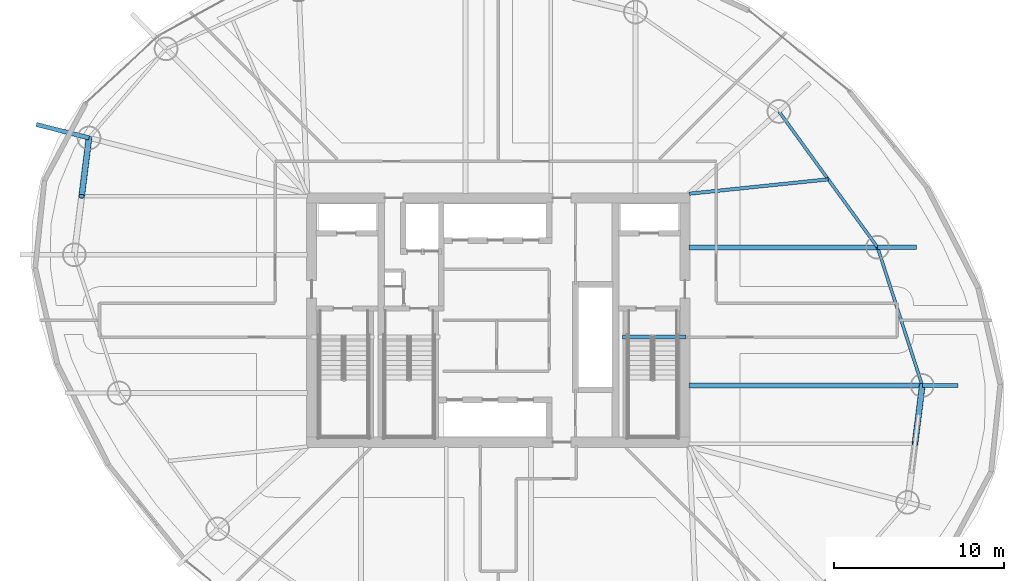
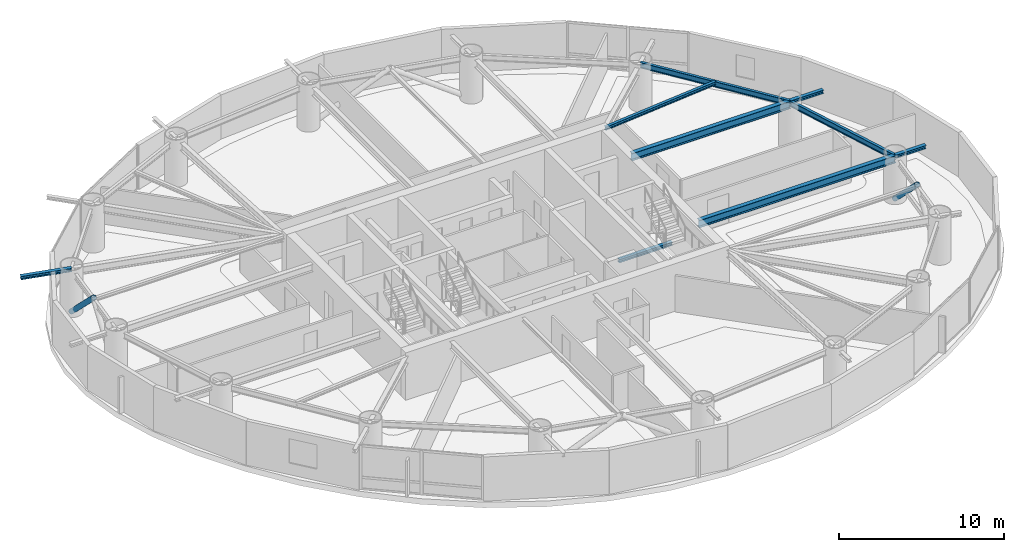
# One storey, part 7 of 21: 9 beams, 2 members.
"""IFC4 building model written with IfcOpenShell, lengths in metres."""

import ifcopenshell
import ifcopenshell.guid

model = None  # the IFC model being written
_history = None  # IfcOwnerHistory: only IFC2X3 demands one
_inside = {}  # id of a spatial element -> (the spatial element, [elements in it])
_under = {}  # id of a project, library or spatial element -> (it, [spatial elements below it])
_declared = {}  # id of a project -> (the project, [libraries it declares])
_typed = {}  # id of a type object -> (the type object, [elements of that type])
_made_of = {}  # id of a material, layer set ... -> (it, [elements and type objects made of it])


def new_model(schema):
    """Start an empty IFC model of exactly this schema.

    Asked for "IFC4X3", IfcOpenShell would pick the latest addendum, in which some entities
    have other attributes; the version numbers below select the first issue.
    IFC2X3 requires an IfcOwnerHistory on every rooted entity: one is made here for all.
    """
    global model, _history
    if schema == "IFC4X3":
        model = ifcopenshell.file(schema_version=(4, 3, 0, 0))
    else:
        model = ifcopenshell.file(schema=schema)
    _inside.clear()
    _under.clear()
    _declared.clear()
    _typed.clear()
    _made_of.clear()
    _history = None
    if model.schema == "IFC2X3":
        org = make("IfcOrganization", Name="unknown")
        user = make(
            "IfcPersonAndOrganization",
            ThePerson=make("IfcPerson", FamilyName="unknown"),
            TheOrganization=org,
        )
        app = make(
            "IfcApplication",
            ApplicationDeveloper=org,
            Version="unknown",
            ApplicationFullName="unknown",
            ApplicationIdentifier="unknown",
        )
        _history = make(
            "IfcOwnerHistory",
            OwningUser=user,
            OwningApplication=app,
            ChangeAction="ADDED",
            CreationDate=0,
        )
    return model


def make(cls, **values):
    """One entity of the class cls with the attributes given. An attribute that is None is left unset."""
    return model.create_entity(
        cls, **{name: value for name, value in values.items() if value is not None}
    )


def rooted(cls, **values):
    """An entity with a GlobalId (a new one), such as an element, a storey or a relation."""
    return make(cls, GlobalId=ifcopenshell.guid.new(), OwnerHistory=_history, **values)


def si_unit(unit_type, name, prefix=None):
    """IfcSIUnit, for example si_unit("LENGTHUNIT", "METRE", prefix="MILLI")."""
    return make("IfcSIUnit", UnitType=unit_type, Prefix=prefix, Name=name)


def assignment(units):
    """IfcUnitAssignment: the units of a project."""
    return None if units is None else make("IfcUnitAssignment", Units=units)


def point(xyz):
    """IfcCartesianPoint."""
    return None if xyz is None else make("IfcCartesianPoint", Coordinates=xyz)


def direction(xyz):
    """IfcDirection."""
    return None if xyz is None else make("IfcDirection", DirectionRatios=xyz)


def frame(location, z_axis=None, x_axis=None):
    """IfcAxis2Placement3D, a coordinate frame: its origin and axes. An axis left out is left unset."""
    return make(
        "IfcAxis2Placement3D",
        Location=point(location),
        Axis=direction(z_axis),
        RefDirection=direction(x_axis),
    )


def frame_2d(location, x_axis=None):
    """IfcAxis2Placement2D, a coordinate frame in the plane: its origin and x axis."""
    return make(
        "IfcAxis2Placement2D", Location=point(location), RefDirection=direction(x_axis)
    )


def origin():
    """The frame at (0, 0, 0) with its axes left unset."""
    return frame((0.0, 0.0, 0.0))


def origin_2d():
    """The frame at (0, 0) in the plane with its x axis left unset."""
    return frame_2d((0.0, 0.0))


def place(relative_to, where):
    """IfcLocalPlacement: puts the frame where relative to a parent placement (None: the world)."""
    return make(
        "IfcLocalPlacement", PlacementRelTo=relative_to, RelativePlacement=where
    )


def context(
    kind, dimensions, precision=None, world=None, true_north=None, identifier=None
):
    """IfcGeometricRepresentationContext, for example the 3D "Model" context."""
    return make(
        "IfcGeometricRepresentationContext",
        ContextIdentifier=identifier,
        ContextType=kind,
        CoordinateSpaceDimension=dimensions,
        Precision=precision,
        WorldCoordinateSystem=world,
        TrueNorth=true_north,
    )


def subcontext(parent, identifier, kind, view, scale=None):
    """IfcGeometricRepresentationSubContext, for example "Body" below "Model"."""
    return make(
        "IfcGeometricRepresentationSubContext",
        ContextIdentifier=identifier,
        ContextType=kind,
        ParentContext=parent,
        TargetScale=scale,
        TargetView=view,
    )


def project(units=None, contexts=None):
    """IfcProject with its units and contexts."""
    return rooted(
        "IfcProject",
        Name="project",
        RepresentationContexts=contexts,
        UnitsInContext=assignment(units),
    )


def spatial(cls, under=None, at=None, **own):
    """A site, building, storey or space (cls), placed at a placement, below another one or the project."""
    s = rooted(cls, ObjectPlacement=at, **own)
    if under is not None:
        _under.setdefault(under.id(), (under, []))[1].append(s)
    return s


def profile(cls, at=None, kind="AREA", **sizes):
    """A parametric profile (cls). Its sizes go by their IFC names, for example OverallWidth=200.0."""
    return make(cls, ProfileType=kind, Position=at, **sizes)


def hollow_circle(**sizes):
    """IfcCircleHollowProfileDef."""
    return profile("IfcCircleHollowProfileDef", **sizes)


def i_section(**sizes):
    """IfcIShapeProfileDef."""
    return profile("IfcIShapeProfileDef", **sizes)


def extrude(swept, where, along, depth):
    """IfcExtrudedAreaSolid: the profile swept, set in the frame where, extruded along a direction by depth."""
    return make(
        "IfcExtrudedAreaSolid",
        SweptArea=swept,
        Position=where,
        ExtrudedDirection=direction(along),
        Depth=depth,
    )


def shape(context_of_items, identifier, shape_type, items):
    """IfcShapeRepresentation: the items that make up one representation, for example the "Body"."""
    return make(
        "IfcShapeRepresentation",
        ContextOfItems=context_of_items,
        RepresentationIdentifier=identifier,
        RepresentationType=shape_type,
        Items=items,
    )


def material(Name=None, Category=None):
    """IfcMaterial."""
    return make("IfcMaterial", Name=Name, Category=Category)


def material_profile(
    of_material, cross_section, Name=None, Category=None, Priority=None
):
    """IfcMaterialProfile: a cross section and its material."""
    return make(
        "IfcMaterialProfile",
        Name=Name,
        Material=of_material,
        Profile=cross_section,
        Priority=Priority,
        Category=Category,
    )


def profile_set(profiles, Name=None, composite=None):
    """IfcMaterialProfileSet."""
    return make(
        "IfcMaterialProfileSet",
        Name=Name,
        MaterialProfiles=profiles,
        CompositeProfile=composite,
    )


def made_of(thing, what):
    """Note that an element or type object is made of a material, layer set ...; save() writes the relation."""
    if what is not None:
        _made_of.setdefault(what.id(), (what, []))[1].append(thing)
    return thing


def type_object(cls, material=None, **own):
    """A type object (cls), such as IfcWallType, which elements share."""
    return made_of(rooted(cls, **own), material)


def element(
    cls,
    number,
    at=None,
    inside=None,
    cuts=None,
    type_object=None,
    material=None,
    context=None,
    identifier="Body",
    shape_type=None,
    held_by="IfcProductDefinitionShape",
    body=None,
    shapes=None,
    **own,
):
    """One element of the class cls, such as IfcWall. Its Tag is "e" and its number.

    at: its placement. inside: the storey or other place that contains it. cuts: it is an
    opening in that element (IfcRelVoidsElement). A single representation is given by context,
    identifier, shape_type and body (its items); several are given by shapes. held_by: the class
    of the entity that holds the representations. save() writes the other relations.
    """
    e = rooted(cls, Tag="e%d" % number, ObjectPlacement=at, **own)
    if body is not None:
        shapes = [shape(context, identifier, shape_type, body)]
    if shapes is not None:
        e.Representation = make(held_by, Representations=shapes)
    if inside is not None:
        _inside.setdefault(inside.id(), (inside, []))[1].append(e)
    if cuts is not None:
        rooted(
            "IfcRelVoidsElement", RelatingBuildingElement=cuts, RelatedOpeningElement=e
        )
    if type_object is not None:
        _typed.setdefault(type_object.id(), (type_object, []))[1].append(e)
    return made_of(e, material)


def aggregate(whole, parts):
    """IfcRelAggregates: a whole, such as a stair, and the parts it consists of."""
    return rooted("IfcRelAggregates", RelatingObject=whole, RelatedObjects=parts)


def save(model, path):
    """Write the relations noted so far, then the file.

    IfcRelAggregates (storeys below a building ...), IfcRelContainedInSpatialStructure (elements
    in a storey), IfcRelDefinesByType, IfcRelAssociatesMaterial and IfcRelDeclares: one each for
    every whole, place, type object, material and project.
    """
    for whole, parts in _under.values():
        aggregate(whole, parts)
    for where, things in _inside.values():
        rooted(
            "IfcRelContainedInSpatialStructure",
            RelatedElements=things,
            RelatingStructure=where,
        )
    for kind, things in _typed.values():
        rooted("IfcRelDefinesByType", RelatedObjects=things, RelatingType=kind)
    for what, things in _made_of.values():
        rooted("IfcRelAssociatesMaterial", RelatedObjects=things, RelatingMaterial=what)
    for by, libraries in _declared.values():
        rooted("IfcRelDeclares", RelatingContext=by, RelatedDefinitions=libraries)
    model.write(path)


model = new_model("IFC4")

# Units and contexts
model_context = context("Model", 3, precision=1e-05, world=origin(), true_north=direction((0.0, 1.0)))
body_context = subcontext(model_context, "Body", "Model", "MODEL_VIEW")
ifc_project = project(units=[si_unit("LENGTHUNIT", "METRE"), si_unit("AREAUNIT", "SQUARE_METRE"), si_unit("VOLUMEUNIT", "CUBIC_METRE"), si_unit("PLANEANGLEUNIT", "RADIAN"), si_unit("MASSUNIT", "GRAM", prefix="KILO")], contexts=[model_context])

# Site, building, storey
site_placement = place(None, origin())
site = spatial("IfcSite", under=ifc_project, at=site_placement, CompositionType="ELEMENT")
building_placement = place(site_placement, origin())
building = spatial("IfcBuilding", under=site, at=building_placement, Name="Bramvorn Convention Spire", CompositionType="ELEMENT")
storey_placement = place(building_placement, frame((0.0, 0.0, 102.800048828125)))
storey = spatial("IfcBuildingStorey", under=building, at=storey_placement, Name="L24", CompositionType="ELEMENT", Elevation=102.800048828125)

# Beams
ifc_material = material(Name="Steel CSA G40.21 Grade 350 (350W)", Category="steel")
ifc_material_profile_1 = material_profile(ifc_material, i_section(OverallWidth=0.201904296875, OverallDepth=0.2470703125, WebThickness=0.00732421875, FlangeThickness=0.010986328125, FilletRadius=0.011962890625, at=origin_2d()))
ifc_profile_set_1 = profile_set([ifc_material_profile_1], Name="Steel CSA G40.21 Grade 350 (350W) - W250X49")
beam_type_1 = type_object("IfcBeamType", Name="BM-W250X49", PredefinedType="JOIST", material=ifc_profile_set_1)
beam_1_placement = place(storey_placement, frame((49.25, 33.449951171875, 3.136474609375), z_axis=(0.994705076194, 0.102770673804, 0.0), x_axis=(-0.102770673804, 0.994705076194, 0.0)))
element("IfcBeam", 1, at=beam_1_placement, inside=storey, type_object=beam_type_1, Name="L24 composite floor joist 03", PredefinedType="JOIST", context=body_context, shape_type="SweptSolid", body=[
    extrude(i_section(OverallWidth=0.201904296875, OverallDepth=0.2470703125, WebThickness=0.00732421875, FlangeThickness=0.010986328125, FilletRadius=0.011962890625, at=origin_2d()), origin(), (0.0, 0.0, 1.0), 8.23388671875),
])
ifc_material_profile_2 = material_profile(ifc_material, i_section(OverallWidth=0.25390625, OverallDepth=0.2529296875, WebThickness=0.008544921875, FlangeThickness=0.01416015625, FilletRadius=0.011962890625, at=origin_2d()))
ifc_profile_set_2 = profile_set([ifc_material_profile_2], Name="Steel CSA G40.21 Grade 350 (350W) - W250X73")
beam_type_2 = type_object("IfcBeamType", Name="BM-W250X73", PredefinedType="BEAM", material=ifc_profile_set_2)
beam_2_placement = place(storey_placement, frame((62.983642578125, 22.148193359375, 3.133544921875), z_axis=(1.0, 0.0, 0.0), x_axis=(0.0, 1.0, 0.0)))
element("IfcBeam", 2, at=beam_2_placement, inside=storey, type_object=beam_type_2, Name="L24 slab-edge cantilever tip beam MC02", PredefinedType="BEAM", context=body_context, shape_type="SweptSolid", body=[
    extrude(i_section(OverallWidth=0.25390625, OverallDepth=0.2529296875, WebThickness=0.008544921875, FlangeThickness=0.01416015625, FilletRadius=0.011962890625, at=origin_2d()), origin(), (0.0, 0.0, 1.0), 2.1181640625),
])
beam_3_placement = place(storey_placement, frame((60.345703125, 30.293212890625, 3.133544921875), z_axis=(1.0, 0.0, 0.0), x_axis=(0.0, 1.0, 0.0)))
element("IfcBeam", 3, at=beam_3_placement, inside=storey, type_object=beam_type_2, Name="L24 slab-edge cantilever tip beam MC03", PredefinedType="BEAM", context=body_context, shape_type="SweptSolid", body=[
    extrude(i_section(OverallWidth=0.25390625, OverallDepth=0.2529296875, WebThickness=0.008544921875, FlangeThickness=0.01416015625, FilletRadius=0.011962890625, at=origin_2d()), origin(), (0.0, 0.0, 1.0), 2.2958984375),
])
beam_4_placement = place(storey_placement, frame((13.88232421875, 36.73779296875, 3.133544921875), z_axis=(-0.968868276357, 0.24757678217, 0.0), x_axis=(-0.24757678217, -0.968868276357, 0.0)))
element("IfcBeam", 4, at=beam_4_placement, inside=storey, type_object=beam_type_2, Name="L24 slab-edge cantilever tip beam MC09", PredefinedType="BEAM", context=body_context, shape_type="SweptSolid", body=[
    extrude(i_section(OverallWidth=0.25390625, OverallDepth=0.2529296875, WebThickness=0.008544921875, FlangeThickness=0.01416015625, FilletRadius=0.011962890625, at=origin_2d()), origin(), (0.0, 0.0, 1.0), 3.199951171875),
])
beam_5_placement = place(storey_placement, frame((45.31005859375, 25.010009765625, -0.12646484375), z_axis=(1.0, 0.0, 0.0), x_axis=(0.0, 1.0, 0.0)))
element("IfcBeam", 5, at=beam_5_placement, inside=storey, type_object=beam_type_2, Name="L24 ST2 stair arrival header beam", PredefinedType="BEAM", context=body_context, shape_type="SweptSolid", body=[
    extrude(i_section(OverallWidth=0.25390625, OverallDepth=0.2529296875, WebThickness=0.008544921875, FlangeThickness=0.01416015625, FilletRadius=0.011962890625, at=origin_2d()), origin(), (0.0, 0.0, 1.0), 3.739990234375),
])
ifc_material_profile_3 = material_profile(ifc_material, i_section(OverallWidth=0.180908203125, OverallDepth=0.4169921875, WebThickness=0.010986328125, FlangeThickness=0.018310546875, FilletRadius=0.01611328125, at=origin_2d()))
ifc_profile_set_3 = profile_set([ifc_material_profile_3], Name="Steel CSA G40.21 Grade 350 (350W) - W410X85")
beam_type_3 = type_object("IfcBeamType", Name="BM-W410X85", PredefinedType="JOIST", material=ifc_profile_set_3)
beam_6_placement = place(storey_placement, frame((62.983642578125, 22.148193359375, 3.051513671875), z_axis=(-0.308114853612, 0.951349166701, 0.0), x_axis=(-0.951349166701, -0.308114853612, 0.0)))
element("IfcBeam", 6, at=beam_6_placement, inside=storey, type_object=beam_type_3, Name="L24 mega-column ring beam 02", PredefinedType="JOIST", context=body_context, shape_type="SweptSolid", body=[
    extrude(i_section(OverallWidth=0.180908203125, OverallDepth=0.4169921875, WebThickness=0.010986328125, FlangeThickness=0.018310546875, FilletRadius=0.01611328125, at=origin_2d()), origin(), (0.0, 0.0, 1.0), 8.5615234375),
])
beam_7_placement = place(storey_placement, frame((60.345703125, 30.293212890625, 3.051513671875), z_axis=(-0.587401024629, 0.809296012757, 0.0), x_axis=(-0.809296012757, -0.587401024629, 0.0)))
element("IfcBeam", 7, at=beam_7_placement, inside=storey, type_object=beam_type_3, Name="L24 mega-column ring beam 03", PredefinedType="JOIST", context=body_context, shape_type="SweptSolid", body=[
    extrude(i_section(OverallWidth=0.180908203125, OverallDepth=0.4169921875, WebThickness=0.010986328125, FlangeThickness=0.018310546875, FilletRadius=0.01611328125, at=origin_2d()), origin(), (0.0, 0.0, 1.0), 9.892333984375),
])
ifc_material_profile_4 = material_profile(ifc_material, i_section(OverallWidth=0.2919921875, OverallDepth=0.551025390625, WebThickness=0.01513671875, FlangeThickness=0.0244140625, FilletRadius=0.01904296875, at=origin_2d()))
ifc_profile_set_4 = profile_set([ifc_material_profile_4], Name="Steel CSA G40.21 Grade 350 (350W) - W530X182")
beam_type_4 = type_object("IfcBeamType", Name="BM-W530X182", PredefinedType="BEAM", material=ifc_profile_set_4)
beam_8_placement = place(storey_placement, frame((49.25, 22.148193359375, 2.984375), z_axis=(1.0, 0.0, 0.0), x_axis=(0.0, 1.0, 0.0)))
element("IfcBeam", 8, at=beam_8_placement, inside=storey, type_object=beam_type_4, Name="L24 radial floor girder MC02", PredefinedType="BEAM", context=body_context, shape_type="SweptSolid", body=[
    extrude(i_section(OverallWidth=0.2919921875, OverallDepth=0.551025390625, WebThickness=0.01513671875, FlangeThickness=0.0244140625, FilletRadius=0.01904296875, at=origin_2d()), origin(), (0.0, 0.0, 1.0), 13.733642578125),
])
beam_9_placement = place(storey_placement, frame((49.25, 30.293212890625, 2.984375), z_axis=(1.0, 0.0, 0.0), x_axis=(0.0, 1.0, 0.0)))
element("IfcBeam", 9, at=beam_9_placement, inside=storey, type_object=beam_type_4, Name="L24 radial floor girder MC03", PredefinedType="BEAM", context=body_context, shape_type="SweptSolid", body=[
    extrude(i_section(OverallWidth=0.2919921875, OverallDepth=0.551025390625, WebThickness=0.01513671875, FlangeThickness=0.0244140625, FilletRadius=0.01904296875, at=origin_2d()), origin(), (0.0, 0.0, 1.0), 11.095703125),
])

# Members
ifc_material_profile_5 = material_profile(ifc_material, hollow_circle(Radius=0.177734375, WallThickness=0.015869140625, at=origin_2d()))
ifc_profile_set_5 = profile_set([ifc_material_profile_5], Name="Steel CSA G40.21 Grade 350 (350W) - CHS356X16")
member_type = type_object("IfcMemberType", Name="MBR-CHS356X16", PredefinedType="BRACE", material=ifc_profile_set_5)
for number, where, z_axis, x_axis, name in (
    (10, (62.983642578125, 22.148193359375, 0.0), (-0.090966454148, -0.723116649599, 0.684709730683), (0.992180152714, -0.124814039917, 0.0), "L24 perimeter Gothic lancet brace 1B"),
    (11, (13.88232421875, 36.73779296875, 0.0), (-0.090912229428, -0.723144484842, 0.684687534999), (0.992189958039, -0.124736070028, 0.0), "L24 perimeter Gothic lancet brace 9A"),
):
    element("IfcMember", number, at=place(storey_placement, frame(where, z_axis=z_axis, x_axis=x_axis)), inside=storey, type_object=member_type, Name=name, PredefinedType="BRACE", context=body_context, shape_type="SweptSolid", body=[
        extrude(hollow_circle(Radius=0.177734375, WallThickness=0.015869140625, at=origin_2d()), origin(), (0.0, 0.0, 1.0), 4.76123046875),
    ])

save(model, "model.ifc")
